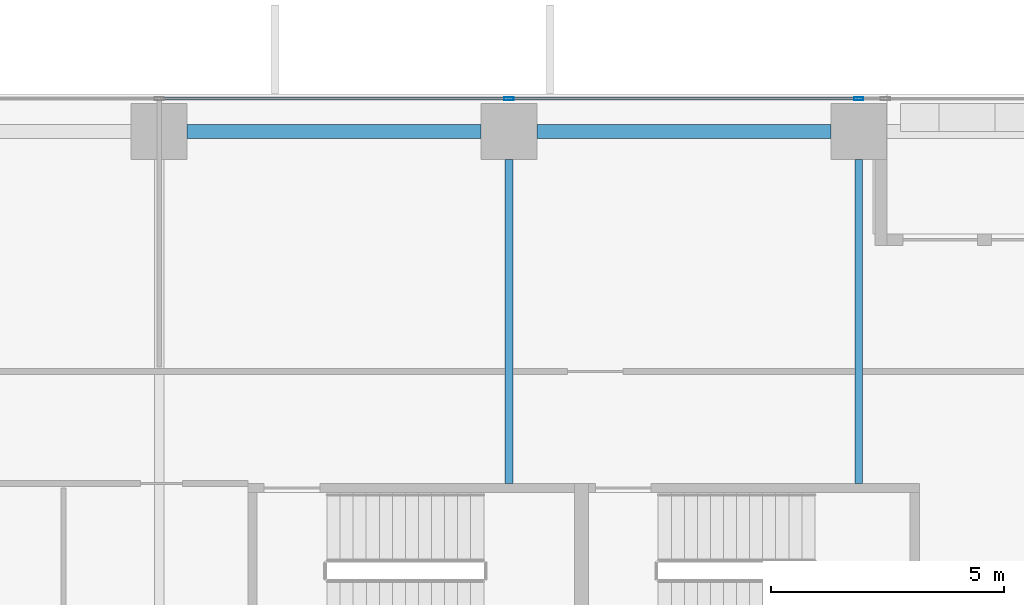
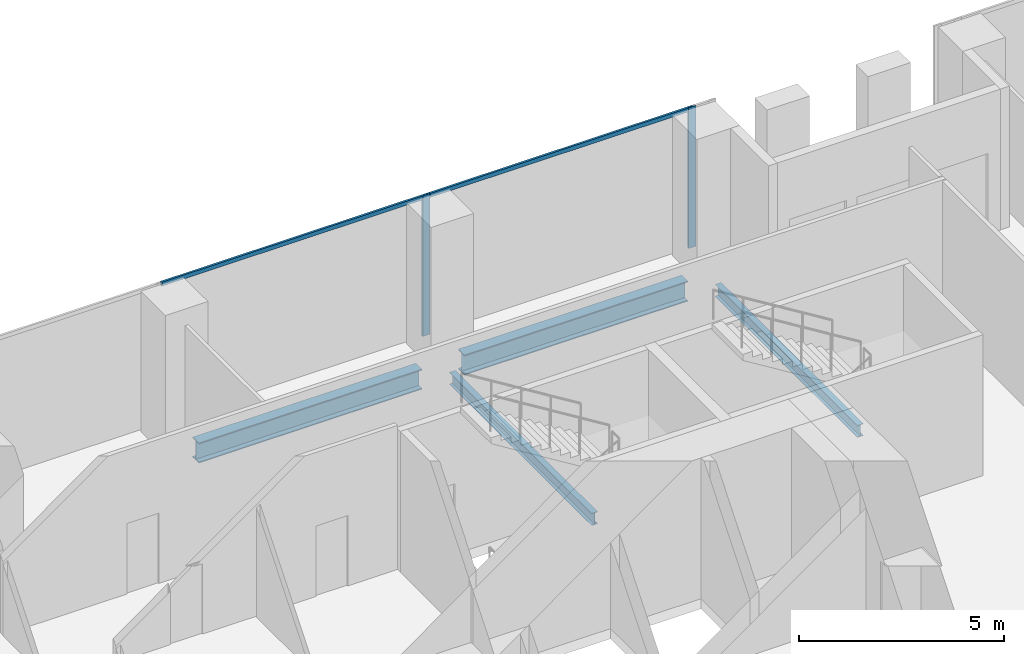
# One storey, part 15 of 33: 4 beams, 4 members, 1 element without a shape of its own.
"""IFC4 building model written with IfcOpenShell, lengths in metres."""

from ifc_helpers import new_model, si_unit, direction, frame, origin, origin_2d, place, context, subcontext, project, spatial, hollow_rectangle, i_section, extrude, source, transform, mapped, material, material_profile, profile_set, type_object, element, aggregate, save


model = new_model("IFC4")

# Units and contexts
model_context = context("Model", 3, precision=1e-05, world=origin(), true_north=direction((0.0, 1.0)))
body_context = subcontext(model_context, "Body", "Model", "MODEL_VIEW")
ifc_project = project(units=[si_unit("LENGTHUNIT", "METRE"), si_unit("AREAUNIT", "SQUARE_METRE"), si_unit("VOLUMEUNIT", "CUBIC_METRE"), si_unit("PLANEANGLEUNIT", "RADIAN"), si_unit("MASSUNIT", "GRAM", prefix="KILO")], contexts=[model_context])

# Site, building, storey
site_placement = place(None, origin())
site = spatial("IfcSite", under=ifc_project, at=site_placement, CompositionType="ELEMENT")
building_placement = place(site_placement, origin())
building = spatial("IfcBuilding", under=site, at=building_placement, Name="Khomas Fold Tower", CompositionType="ELEMENT")
storey_placement = place(building_placement, frame((0.0, 0.0, 55.5)))
storey = spatial("IfcBuildingStorey", under=building, at=storey_placement, Name="L11", CompositionType="ELEMENT", Elevation=55.5)

# Beams
ifc_material_1 = material(Name="Steel S355", Category="steel")
ifc_material_profile_1 = material_profile(ifc_material_1, i_section(OverallWidth=0.169921875, OverallDepth=0.360107421875, WebThickness=0.008056640625, FlangeThickness=0.0126953125, at=origin_2d()), Name="IPE 360")
ifc_profile_set_1 = profile_set([ifc_material_profile_1], Name="Steel S355")
beam_type_1 = type_object("IfcBeamType", Name="IPE 360 beam JB2", PredefinedType="BEAM", material=ifc_profile_set_1)
shared_shape_1 = source(origin(), body_context, "Body", "SweptSolid", [
    extrude(i_section(OverallWidth=0.169921875, OverallDepth=0.360107421875, WebThickness=0.008056640625, FlangeThickness=0.0126953125, at=origin_2d()), origin(), (0.0, 0.0, 1.0), 6.9501953125),
])
for number, where, z_axis, x_axis, name in (
    (1, (19.5, 45.64990234375, -0.47998046875), (0.0, 1.0, 0.0), (-1.0, 0.0, 0.0), "JB2"),
    (2, (27.0, 45.64990234375, -0.47998046875), (0.0, 1.0, 0.0), (-1.0, 0.0, 0.0), "JB2"),
):
    element("IfcBeam", number, at=place(storey_placement, frame(where, z_axis=z_axis, x_axis=x_axis)), inside=storey, type_object=beam_type_1, Name=name, PredefinedType="BEAM", context=body_context, shape_type="MappedRepresentation", body=[
        mapped(shared_shape_1, transform((0.0, 0.0, 0.0))),
    ])
ifc_material_2 = material(Name="Steel S355", Category="steel")
ifc_material_profile_2 = material_profile(ifc_material_2, i_section(OverallWidth=0.300048828125, OverallDepth=0.60009765625, WebThickness=0.015380859375, FlangeThickness=0.030029296875, at=origin_2d()), Name="HE 600 B")
ifc_profile_set_2 = profile_set([ifc_material_profile_2], Name="Steel S355")
beam_type_2 = type_object("IfcBeamType", Name="HE 600 B spandrel SB1", PredefinedType="SPANDREL", material=ifc_profile_set_2)
shared_shape_2 = source(origin(), body_context, "Body", "SweptSolid", [
    extrude(i_section(OverallWidth=0.300048828125, OverallDepth=0.60009765625, WebThickness=0.015380859375, FlangeThickness=0.030029296875, at=origin_2d()), origin(), (0.0, 0.0, 1.0), 6.2998046875),
])
for number, where, z_axis, x_axis, name in (
    (3, (20.10009765625, 53.199951171875, -0.60009765625), (1.0, 0.0, 0.0), (0.0, 1.0, 0.0), "SB1"),
    (4, (12.60009765625, 53.199951171875, -0.60009765625), (1.0, 0.0, 0.0), (0.0, 1.0, 0.0), "SB1"),
):
    element("IfcBeam", number, at=place(storey_placement, frame(where, z_axis=z_axis, x_axis=x_axis)), inside=storey, type_object=beam_type_2, Name=name, PredefinedType="SPANDREL", context=body_context, shape_type="MappedRepresentation", body=[
        mapped(shared_shape_2, transform((0.0, 0.0, 0.0))),
    ])

# Curtain wall, members
ifc_material_3 = material(Name="Aluminium framed double glazing", Category="aluminium")
curtain_wall_type = type_object("IfcCurtainWallType", Name="SK-Unitised clear-glass wall, growing floors CW1", PredefinedType="NOTDEFINED", material=ifc_material_3)
curtain_wall_placement = place(storey_placement, origin())
curtain_wall = element("IfcCurtainWall", 5, at=curtain_wall_placement, inside=storey, type_object=curtain_wall_type, Name="CW1 run L11 06-1", PredefinedType="NOTDEFINED")
ifc_material_4 = material(Name="Aluminium", Category="aluminium")
ifc_material_profile_3 = material_profile(ifc_material_4, hollow_rectangle(XDim=0.06005859375, YDim=0.1201171875, WallThickness=0.00390625, at=origin_2d()), Name="SK-Unitised clear-glass wall, growing floors transom CW1-T")
ifc_profile_set_3 = profile_set([ifc_material_profile_3], Name="Aluminium")
member_type_1 = type_object("IfcMemberType", Name="SK-Unitised clear-glass wall, growing floors transom CW1-T", PredefinedType="USERDEFINED", material=ifc_profile_set_3)
shared_shape_3 = source(origin(), body_context, "Body", "SweptSolid", [
    extrude(hollow_rectangle(XDim=0.06005859375, YDim=0.1201171875, WallThickness=0.00390625, at=origin_2d()), origin(), (0.0, 0.0, 1.0), 7.43994140625),
])
member_1_placement = place(storey_placement, frame((26.969970703125, 53.89990234375, 4.139892578125), z_axis=(-1.0, 0.0, 0.0), x_axis=(0.0, -1.0, 0.0)))
member_1 = element("IfcMember", 6, at=member_1_placement, type_object=member_type_1, Name="CW1 transom 2", ObjectType="TRANSOM", PredefinedType="USERDEFINED", context=body_context, shape_type="MappedRepresentation", body=[
    mapped(shared_shape_3, transform((0.0, 0.0, 0.0))),
])
member_2_placement = place(storey_placement, frame((19.469970703125, 53.89990234375, 4.139892578125), z_axis=(-1.0, 0.0, 0.0), x_axis=(0.0, -1.0, 0.0)))
member_2 = element("IfcMember", 7, at=member_2_placement, type_object=member_type_1, Name="CW1 transom 3", ObjectType="TRANSOM", PredefinedType="USERDEFINED", context=body_context, shape_type="MappedRepresentation", body=[
    mapped(shared_shape_3, transform((0.0, 0.0, 0.0))),
])
ifc_material_5 = material(Name="Aluminium", Category="aluminium")
ifc_material_profile_4 = material_profile(ifc_material_5, hollow_rectangle(XDim=0.06005859375, YDim=0.199951171875, WallThickness=0.00390625, at=origin_2d()), Name="SK-Unitised clear-glass wall, growing floors mullion CW1-M")
ifc_profile_set_4 = profile_set([ifc_material_profile_4], Name="Aluminium")
member_type_2 = type_object("IfcMemberType", Name="SK-Unitised clear-glass wall, growing floors mullion CW1-M", PredefinedType="MULLION", material=ifc_profile_set_4)
shared_shape_4 = source(origin(), body_context, "Body", "SweptSolid", [
    extrude(hollow_rectangle(XDim=0.06005859375, YDim=0.199951171875, WallThickness=0.00390625, at=origin_2d()), origin(), (0.0, 0.0, 1.0), 4.199951171875),
])
member_3_placement = place(storey_placement, frame((27.0, 53.89990234375, 0.0), z_axis=(0.0, 0.0, 1.0), x_axis=(0.0, -1.0, 0.0)))
member_3 = element("IfcMember", 8, at=member_3_placement, type_object=member_type_2, Name="CW1 mullion 2", PredefinedType="MULLION", context=body_context, shape_type="MappedRepresentation", body=[
    mapped(shared_shape_4, transform((0.0, 0.0, 0.0))),
])
member_4_placement = place(storey_placement, frame((19.5, 53.89990234375, 0.0), z_axis=(0.0, 0.0, 1.0), x_axis=(0.0, -1.0, 0.0)))
member_4 = element("IfcMember", 9, at=member_4_placement, type_object=member_type_2, Name="CW1 mullion 3", PredefinedType="MULLION", context=body_context, shape_type="MappedRepresentation", body=[
    mapped(shared_shape_4, transform((0.0, 0.0, 0.0))),
])
aggregate(curtain_wall, [member_3, member_4, member_1, member_2])

save(model, "model.ifc")
